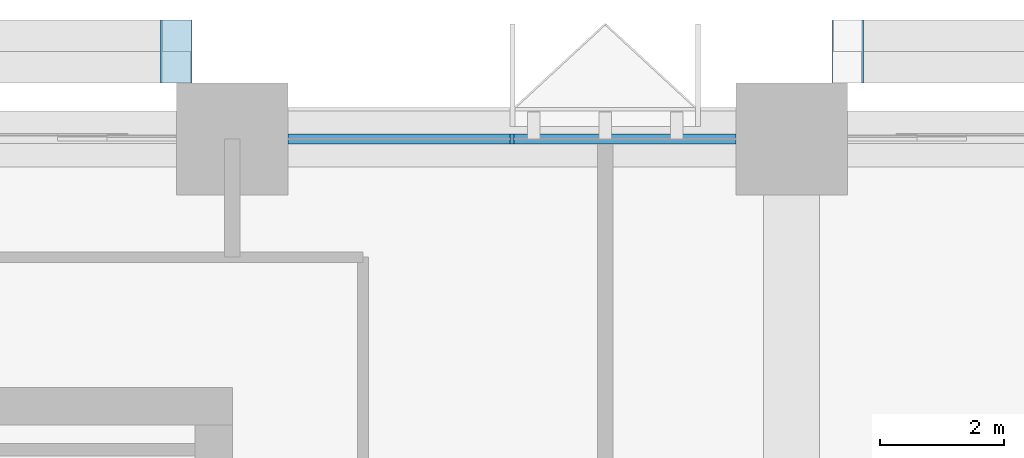
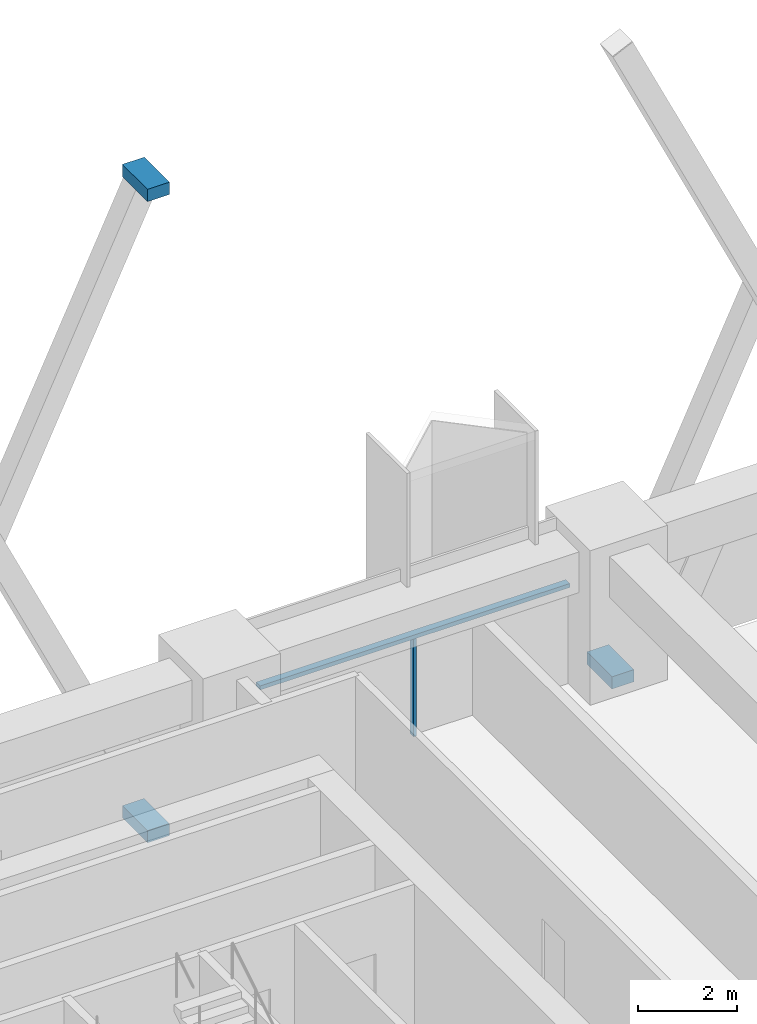
# One storey, part 7 of 19: 5 members, 1 element without a shape of its own.
"""IFC4 building model written with IfcOpenShell, lengths in metres."""

from ifc_helpers import new_model, si_unit, direction, frame, origin, origin_2d, place, context, subcontext, project, spatial, rectangle, extrude, material, layer, layer_set, material_profile, profile_set, type_object, element, aggregate, save


model = new_model("IFC4")

# Units and contexts
model_context = context("Model", 3, precision=1e-05, world=origin(), true_north=direction((0.0, 1.0)))
body_context = subcontext(model_context, "Body", "Model", "MODEL_VIEW")
ifc_project = project(units=[si_unit("LENGTHUNIT", "METRE"), si_unit("AREAUNIT", "SQUARE_METRE"), si_unit("VOLUMEUNIT", "CUBIC_METRE"), si_unit("PLANEANGLEUNIT", "RADIAN"), si_unit("MASSUNIT", "GRAM", prefix="KILO")], contexts=[model_context])

# Site, building, storey
site_placement = place(None, origin())
site = spatial("IfcSite", under=ifc_project, at=site_placement, CompositionType="ELEMENT")
building_placement = place(site_placement, origin())
building = spatial("IfcBuilding", under=site, at=building_placement, Name="Tessera Arch", CompositionType="ELEMENT")
storey_placement = place(building_placement, frame((0.0, 0.0, 93.0)))
storey = spatial("IfcBuildingStorey", under=building, at=storey_placement, Name="L21", CompositionType="ELEMENT", Elevation=93.0)

# Curtain wall, members
ifc_material_1 = material(Name="CW1 curtain wall")
curtain_wall_type = type_object("IfcCurtainWallType", Name="CW1 curtain wall", PredefinedType="NOTDEFINED", material=ifc_material_1)
curtain_wall_placement = place(storey_placement, origin())
curtain_wall = element("IfcCurtainWall", 1, at=curtain_wall_placement, inside=storey, type_object=curtain_wall_type, Name="CW1 curtain wall N54.0/2 L21", PredefinedType="NOTDEFINED")
ifc_material_2 = material(Name="Anodised aluminium pale metal", Category="aluminium")
ifc_material_profile_1 = material_profile(ifc_material_2, rectangle(XDim=0.159912109375, YDim=0.06005859375, at=origin_2d()), Name="AL 60x160")
ifc_profile_set_1 = profile_set([ifc_material_profile_1], Name="Anodised aluminium pale metal")
member_type_1 = type_object("IfcMemberType", Name="CW1 mullion", PredefinedType="MULLION", material=ifc_profile_set_1)
member_1_placement = place(storey_placement, frame((22.5, 54.0, 0.0), z_axis=(0.0, 0.0, 1.0), x_axis=(0.0, -1.0, 0.0)))
member_1 = element("IfcMember", 2, at=member_1_placement, type_object=member_type_1, Name="CW1 mullion N54.0/2 1", PredefinedType="MULLION", context=body_context, shape_type="SweptSolid", body=[
    extrude(rectangle(XDim=0.159912109375, YDim=0.06005859375, at=origin_2d()), origin(), (0.0, 0.0, 1.0), 2.39990234375),
])
ifc_material_3 = material(Name="Anodised aluminium pale metal", Category="aluminium")
ifc_material_profile_2 = material_profile(ifc_material_3, rectangle(XDim=0.159912109375, YDim=0.10009765625, at=origin_2d()), Name="AL 160x100")
ifc_profile_set_2 = profile_set([ifc_material_profile_2], Name="Anodised aluminium pale metal")
member_type_2 = type_object("IfcMemberType", Name="CW1 transom", PredefinedType="USERDEFINED", material=ifc_profile_set_2)
member_2_placement = place(storey_placement, frame((26.10009765625, 54.0, 2.449951171875), z_axis=(-1.0, 0.0, 0.0), x_axis=(0.0, -1.0, 0.0)))
member_2 = element("IfcMember", 3, at=member_2_placement, type_object=member_type_2, Name="CW1 transom N54.0/2 1.1", ObjectType="TRANSOM", PredefinedType="USERDEFINED", context=body_context, shape_type="SweptSolid", body=[
    extrude(rectangle(XDim=0.159912109375, YDim=0.10009765625, at=origin_2d()), origin(), (0.0, 0.0, 1.0), 7.2001953125),
])
aggregate(curtain_wall, [member_1, member_2])

# Members
ifc_material_4 = material(Name="Steel A572 Gr50", Category="steel")
ifc_layer = layer(ifc_material_4, 0.050048828125)
ifc_layer_set = layer_set([ifc_layer], Name="Node block Steel A572 Gr50")
member_type_3 = type_object("IfcMemberType", Name="Node block Steel A572 Gr50", PredefinedType="PLATE", material=ifc_layer_set)
for number, where, z_axis, x_axis, name in (
    (4, (27.89990234375, 55.407958984375, -1.2314453125), (0.0, 0.0, 1.0), (-1.0, 0.0, 0.0), "Node block seat N54.0-1 1 L21"),
    (5, (17.10009765625, 55.407958984375, -1.2314453125), (0.0, 0.0, 1.0), (-1.0, 0.0, 0.0), "Node block seat N54.0-3 2 L21"),
    (6, (17.10009765625, 55.407958984375, 14.53125), (0.0, 0.0, 1.0), (-1.0, 0.0, 0.0), "Node block head N54.0-3 B L21"),
):
    element("IfcMember", number, at=place(storey_placement, frame(where, z_axis=z_axis, x_axis=x_axis)), inside=storey, type_object=member_type_3, Name=name, PredefinedType="PLATE", context=body_context, shape_type="SweptSolid", body=[
        extrude(rectangle(XDim=0.508056640625, YDim=1.01611328125, at=origin_2d()), origin(), (0.0, 0.0, 1.0), 0.300048828125),
    ])

save(model, "model.ifc")
